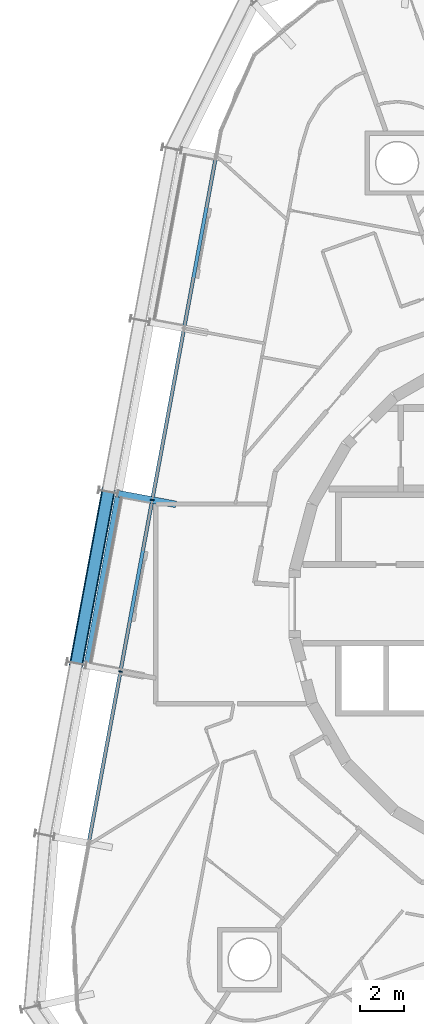
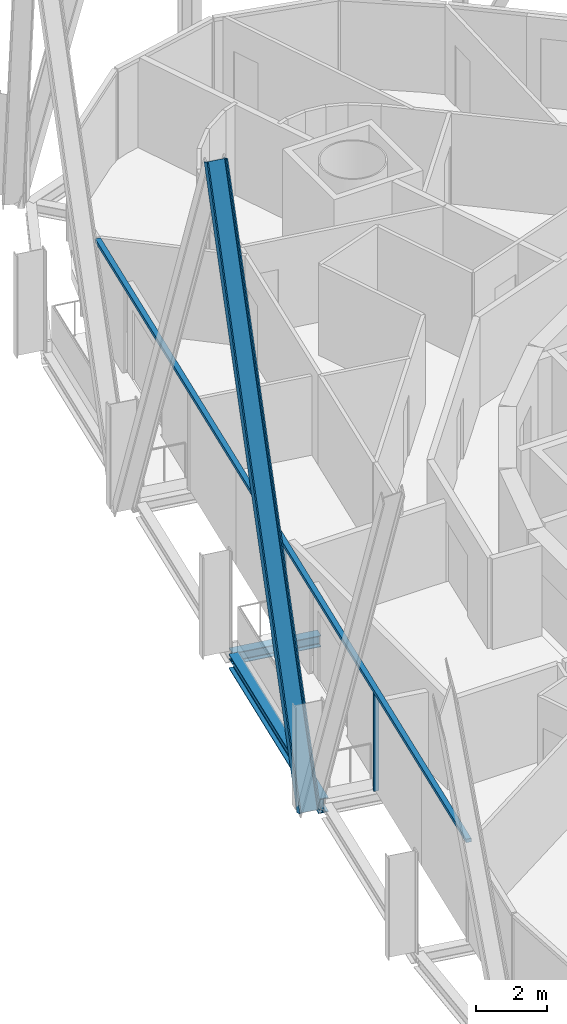
# One storey, part 4 of 17: 4 members, 2 beams, 1 element without a shape of its own.
"""IFC4 building model written with IfcOpenShell, lengths in metres."""

from ifc_helpers import new_model, si_unit, direction, frame, origin, origin_2d, place, context, subcontext, project, spatial, rectangle, i_section, extrude, material, layer, layer_set, material_profile, profile_set, type_object, element, aggregate, save


model = new_model("IFC4")

# Units and contexts
model_context = context("Model", 3, precision=1e-05, world=origin(), true_north=direction((0.0, 1.0)))
body_context = subcontext(model_context, "Body", "Model", "MODEL_VIEW")
ifc_project = project(units=[si_unit("LENGTHUNIT", "METRE"), si_unit("AREAUNIT", "SQUARE_METRE"), si_unit("VOLUMEUNIT", "CUBIC_METRE"), si_unit("PLANEANGLEUNIT", "RADIAN"), si_unit("MASSUNIT", "GRAM", prefix="KILO")], contexts=[model_context])

# Site, building, storey
site_placement = place(None, origin())
site = spatial("IfcSite", under=ifc_project, at=site_placement, CompositionType="ELEMENT")
building_placement = place(site_placement, origin())
building = spatial("IfcBuilding", under=site, at=building_placement, Name="Spindle Arch Residences", CompositionType="ELEMENT")
storey_placement = place(building_placement, frame((0.0, 0.0, 165.699951171875)))
storey = spatial("IfcBuildingStorey", under=building, at=storey_placement, Name="L41", CompositionType="ELEMENT", Elevation=165.699951171875)

# Curtain wall, members
ifc_material_1 = material(Name="Aluminium bronze unitised frame with tinted glass", Category="aluminium")
ifc_layer = layer(ifc_material_1, 0.159912109375)
ifc_layer_set = layer_set([ifc_layer], Name="CW-C typical residential unitised wall")
curtain_wall_type = type_object("IfcCurtainWallType", Name="CW-C typical residential unitised wall", PredefinedType="NOTDEFINED", material=ifc_layer_set)
curtain_wall_placement = place(storey_placement, origin())
curtain_wall = element("IfcCurtainWall", 1, at=curtain_wall_placement, inside=storey, type_object=curtain_wall_type, Name="CW-C L41 run 4", PredefinedType="NOTDEFINED")
ifc_material_2 = material(Name="Aluminium bronze anodised mullion", Category="aluminium")
ifc_material_profile_1 = material_profile(ifc_material_2, rectangle(XDim=0.159912109375, YDim=0.06005859375, at=origin_2d()), Name="MU 60x160")
ifc_profile_set_1 = profile_set([ifc_material_profile_1], Name="Aluminium bronze anodised mullion")
member_type_1 = type_object("IfcMemberType", Name="Bronze mullion 60x160", PredefinedType="MULLION", material=ifc_profile_set_1)
member_1_placement = place(storey_placement, frame((-18.0625, 4.679931640625, -0.3798828125), z_axis=(0.0, 0.0, 1.0), x_axis=(0.983254907564, -0.182235525492, 0.0)))
member_1 = element("IfcMember", 2, at=member_1_placement, type_object=member_type_1, Name="CW-C mullion 14", PredefinedType="MULLION", context=body_context, shape_type="SweptSolid", body=[
    extrude(rectangle(XDim=0.159912109375, YDim=0.06005859375, at=origin_2d()), origin(), (0.0, 0.0, 1.0), 3.3798828125),
])
member_2_placement = place(storey_placement, frame((-19.494873046875, -3.04833984375, -0.3798828125), z_axis=(0.0, 0.0, 1.0), x_axis=(0.983254907564, -0.182235525492, 0.0)))
member_2 = element("IfcMember", 3, at=member_2_placement, type_object=member_type_1, Name="CW-C mullion 15", PredefinedType="MULLION", context=body_context, shape_type="SweptSolid", body=[
    extrude(rectangle(XDim=0.159912109375, YDim=0.06005859375, at=origin_2d()), origin(), (0.0, 0.0, 1.0), 3.3798828125),
])
ifc_material_3 = material(Name="Aluminium bronze anodised transom", Category="aluminium")
ifc_material_profile_2 = material_profile(ifc_material_3, rectangle(XDim=0.159912109375, YDim=0.1201171875, at=origin_2d()), Name="TR 120x160")
ifc_profile_set_2 = profile_set([ifc_material_profile_2], Name="Aluminium bronze anodised transom")
member_type_2 = type_object("IfcMemberType", Name="Bronze transom 120x160", PredefinedType="USERDEFINED", material=ifc_profile_set_2)
member_3_placement = place(storey_placement, frame((-15.203125, 20.107421875, 3.06005859375), z_axis=(-0.182240536166, -0.983253978877, 0.0), x_axis=(0.983253978877, -0.182240536166, 0.0)))
member_3 = element("IfcMember", 4, at=member_3_placement, type_object=member_type_2, Name="CW-C transom 00", ObjectType="TRANSOM", PredefinedType="USERDEFINED", context=body_context, shape_type="SweptSolid", body=[
    extrude(rectangle(XDim=0.159912109375, YDim=0.1201171875, at=origin_2d()), origin(), (0.0, 0.0, 1.0), 31.380126953125),
])
aggregate(curtain_wall, [member_3, member_1, member_2])

# Member
ifc_material_4 = material(Name="Steel S460ML, intumescent coating R 240", Category="steel")
ifc_material_profile_3 = material_profile(ifc_material_4, i_section(OverallWidth=0.304931640625, OverallDepth=0.6201171875, WebThickness=0.02099609375, FlangeThickness=0.0400390625, FilletRadius=0.027099609375, at=origin_2d()), Name="HEM 600")
ifc_profile_set_3 = profile_set([ifc_material_profile_3], Name="Steel S460ML, intumescent coating R 240")
member_type_3 = type_object("IfcMemberType", Name="Diagrid diagonal HEM 600", PredefinedType="BRACE", material=ifc_profile_set_3)
member_4_placement = place(storey_placement, frame((-21.481201171875, -2.680419921875, -0.6298828125), z_axis=(0.075491179902, 0.407250986875, 0.910191032392), x_axis=(-0.16589393651, -0.894945203504, 0.414188706453)))
element("IfcMember", 5, at=member_4_placement, inside=storey, type_object=member_type_3, Name="Diagrid diagonal 4.2.15", PredefinedType="BRACE", context=body_context, shape_type="SweptSolid", body=[
    extrude(i_section(OverallWidth=0.304931640625, OverallDepth=0.6201171875, WebThickness=0.02099609375, FlangeThickness=0.0400390625, FilletRadius=0.027099609375, at=origin_2d()), origin(), (0.0, 0.0, 1.0), 18.977294921875),
])

# Beams
ifc_material_5 = material(Name="Steel S460ML, intumescent coating R 120", Category="steel")
ifc_material_profile_4 = material_profile(ifc_material_5, i_section(OverallWidth=0.300048828125, OverallDepth=0.5, WebThickness=0.014404296875, FlangeThickness=0.028076171875, FilletRadius=0.027099609375, at=origin_2d()), Name="HEB 500")
ifc_profile_set_4 = profile_set([ifc_material_profile_4], Name="Steel S460ML, intumescent coating R 120")
beam_type_1 = type_object("IfcBeamType", Name="Exoskeleton edge beam HEB 500", PredefinedType="BEAM", material=ifc_profile_set_4)
beam_1_placement = place(storey_placement, frame((-19.590576171875, 4.8310546875, -0.6298828125), z_axis=(-0.182234195466, -0.983255154069, 0.0), x_axis=(0.983255154069, -0.182234195466, 0.0)))
element("IfcBeam", 6, at=beam_1_placement, inside=storey, type_object=beam_type_1, Name="Exoskeleton edge beam 15", PredefinedType="BEAM", context=body_context, shape_type="SweptSolid", body=[
    extrude(i_section(OverallWidth=0.300048828125, OverallDepth=0.5, WebThickness=0.014404296875, FlangeThickness=0.028076171875, FilletRadius=0.027099609375, at=origin_2d()), origin(), (0.0, 0.0, 1.0), 7.60009765625),
])
ifc_material_6 = material(Name="Steel S460ML, intumescent coating R 120", Category="steel")
ifc_material_profile_5 = material_profile(ifc_material_6, i_section(OverallWidth=0.300048828125, OverallDepth=0.389892578125, WebThickness=0.010986328125, FlangeThickness=0.01904296875, FilletRadius=0.027099609375, at=origin_2d()), Name="HEA 400")
ifc_profile_set_5 = profile_set([ifc_material_profile_5], Name="Steel S460ML, intumescent coating R 120")
beam_type_2 = type_object("IfcBeamType", Name="Floor outrigger HEA 400", PredefinedType="BEAM", material=ifc_profile_set_5)
beam_2_placement = place(storey_placement, frame((-19.606201171875, 4.966064453125, -0.574951171875), z_axis=(0.98325694826, -0.182224514537, 0.0), x_axis=(0.182224514537, 0.98325694826, 0.0)))
element("IfcBeam", 7, at=beam_2_placement, inside=storey, type_object=beam_type_2, Name="Floor outrigger 15", PredefinedType="BEAM", context=body_context, shape_type="SweptSolid", body=[
    extrude(i_section(OverallWidth=0.300048828125, OverallDepth=0.389892578125, WebThickness=0.010986328125, FlangeThickness=0.01904296875, FilletRadius=0.027099609375, at=origin_2d()), origin(), (0.0, 0.0, 1.0), 2.650146484375),
])

save(model, "model.ifc")
